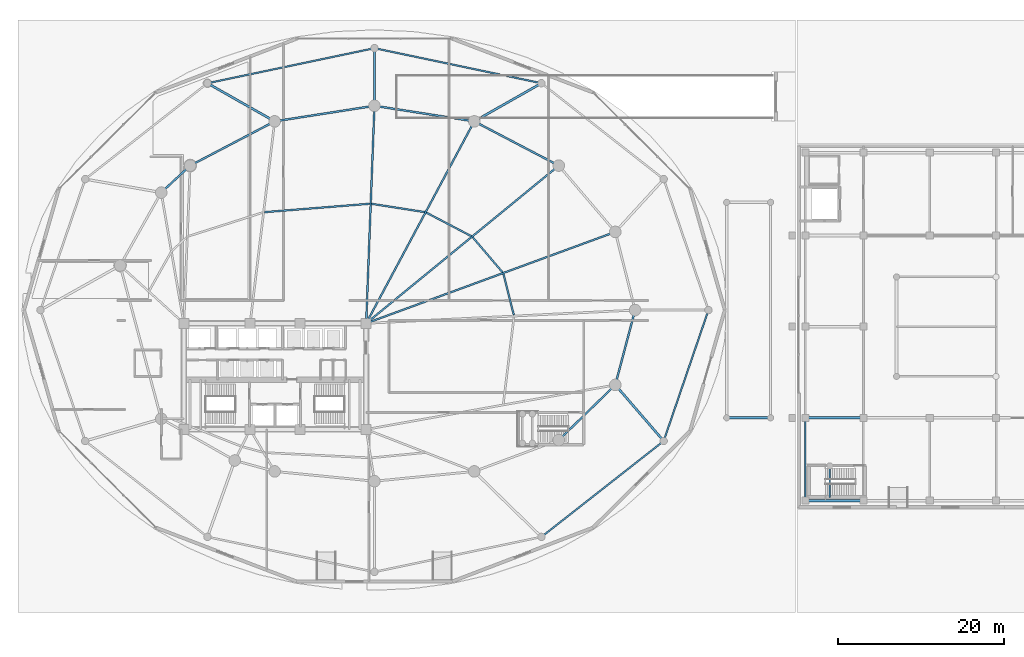
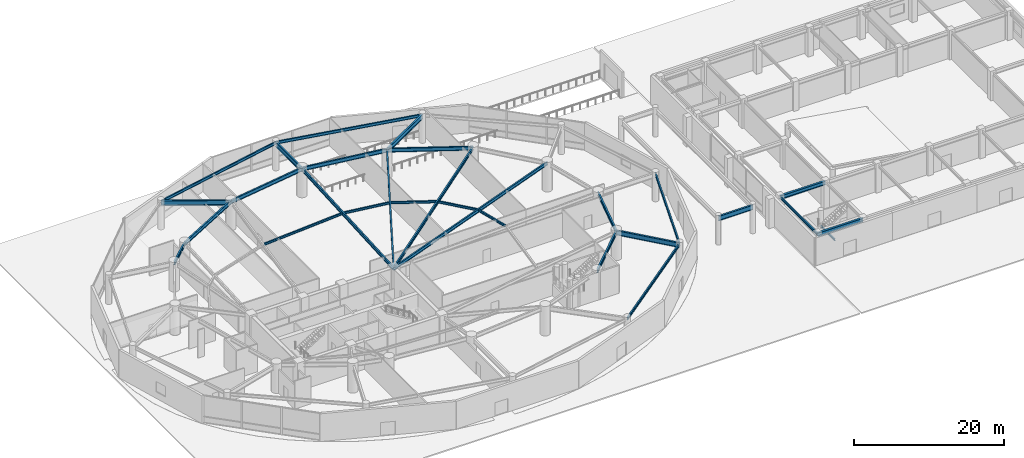
# One storey, part 9 of 35: 29 beams.
"""IFC4 building model written with IfcOpenShell, lengths in metres."""

from ifc_helpers import new_model, si_unit, direction, frame, origin, origin_2d, place, context, subcontext, project, spatial, i_section, extrude, material, material_profile, profile_set, type_object, element, save


model = new_model("IFC4")

# Units and contexts
model_context = context("Model", 3, precision=1e-05, world=origin(), true_north=direction((0.0, 1.0)))
body_context = subcontext(model_context, "Body", "Model", "MODEL_VIEW")
ifc_project = project(units=[si_unit("LENGTHUNIT", "METRE"), si_unit("AREAUNIT", "SQUARE_METRE"), si_unit("VOLUMEUNIT", "CUBIC_METRE"), si_unit("PLANEANGLEUNIT", "RADIAN"), si_unit("MASSUNIT", "GRAM", prefix="KILO")], contexts=[model_context])

# Site, building, storey
site_placement = place(None, origin())
site = spatial("IfcSite", under=ifc_project, at=site_placement, CompositionType="ELEMENT")
building_placement = place(site_placement, origin())
building = spatial("IfcBuilding", under=site, at=building_placement, Name="Kazevale Care Tower and Concert Hall", CompositionType="ELEMENT")
storey_placement = place(building_placement, origin())
storey = spatial("IfcBuildingStorey", under=building, at=storey_placement, Name="L00", CompositionType="ELEMENT", Elevation=0.0)

# Beams
ifc_material = material(Name="Steel ASTM A572 Gr 50", Category="steel")
ifc_material_profile_1 = material_profile(ifc_material, i_section(OverallWidth=0.323974609375, OverallDepth=0.611083984375, WebThickness=0.0126953125, FlangeThickness=0.01904296875, at=origin_2d()), Name="W610x155")
ifc_profile_set_1 = profile_set([ifc_material_profile_1], Name="Steel ASTM A572 Gr 50")
beam_type_1 = type_object("IfcBeamType", Name="Concert Hall Frame Girder W610x155", PredefinedType="BEAM", material=ifc_profile_set_1)
for number, where, z_axis, x_axis, name in (
    (1, (97.0, 15.0, 4.214599609375), (1.0, 0.0, 0.0), (0.0, 1.0, 0.0), "beam:L00:hx:97_15"),
    (2, (97.0, 25.0, 4.214599609375), (1.0, 0.0, 0.0), (0.0, 1.0, 0.0), "beam:L00:hx:97_25"),
):
    element("IfcBeam", number, at=place(storey_placement, frame(where, z_axis=z_axis, x_axis=x_axis)), inside=storey, type_object=beam_type_1, Name=name, PredefinedType="BEAM", context=body_context, shape_type="SweptSolid", body=[
        extrude(i_section(OverallWidth=0.323974609375, OverallDepth=0.611083984375, WebThickness=0.0126953125, FlangeThickness=0.01904296875, at=origin_2d()), origin(), (0.0, 0.0, 1.0), 7.0),
    ])
ifc_material_profile_2 = material_profile(ifc_material, i_section(OverallWidth=0.180908203125, OverallDepth=0.4169921875, WebThickness=0.010986328125, FlangeThickness=0.018310546875, at=origin_2d()), Name="W410x85")
ifc_profile_set_2 = profile_set([ifc_material_profile_2], Name="Steel ASTM A572 Gr 50")
beam_type_2 = type_object("IfcBeamType", Name="Concert Hall Secondary Beam W410x85", PredefinedType="BEAM", material=ifc_profile_set_2)
beam_1_placement = place(storey_placement, frame((97.0, 15.0, 4.3115234375), z_axis=(0.0, 1.0, 0.0), x_axis=(-1.0, 0.0, 0.0)))
element("IfcBeam", 3, at=beam_1_placement, inside=storey, type_object=beam_type_2, Name="beam:L00:hy:97_15", PredefinedType="BEAM", context=body_context, shape_type="SweptSolid", body=[
    extrude(i_section(OverallWidth=0.180908203125, OverallDepth=0.4169921875, WebThickness=0.010986328125, FlangeThickness=0.018310546875, at=origin_2d()), origin(), (0.0, 0.0, 1.0), 10.0),
])
ifc_material_profile_3 = material_profile(ifc_material, i_section(OverallWidth=0.194091796875, OverallDepth=0.468994140625, WebThickness=0.0126953125, FlangeThickness=0.0205078125, at=origin_2d()), Name="W460x106")
ifc_profile_set_3 = profile_set([ifc_material_profile_3], Name="Steel ASTM A572 Gr 50")
beam_type_3 = type_object("IfcBeamType", Name="Podium Floor Beam W460x106", PredefinedType="BEAM", material=ifc_profile_set_3)
for number, where, z_axis, x_axis, name in (
    (4, (65.14990234375, 65.3701171875, 4.285400390625), (-0.978668137727, 0.205447502293, 0.0), (-0.205447502293, -0.978668137727, 0.0), "beam:L00:podring:03"),
    (5, (45.0, 69.60009765625, 4.285400390625), (-0.978668137727, -0.205447502293, 0.0), (0.205447502293, -0.978668137727, 0.0), "beam:L00:podring:04"),
):
    element("IfcBeam", number, at=place(storey_placement, frame(where, z_axis=z_axis, x_axis=x_axis)), inside=storey, type_object=beam_type_3, Name=name, PredefinedType="BEAM", context=body_context, shape_type="SweptSolid", body=[
        extrude(i_section(OverallWidth=0.194091796875, OverallDepth=0.468994140625, WebThickness=0.0126953125, FlangeThickness=0.0205078125, at=origin_2d()), origin(), (0.0, 0.0, 1.0), 20.589111328125),
    ])
beam_2_placement = place(storey_placement, frame((65.14990234375, 10.6298828125, 4.285400390625), z_axis=(0.786816091325, 0.617187522907, 0.0), x_axis=(-0.617187522907, 0.786816091325, 0.0)))
element("IfcBeam", 6, at=beam_2_placement, inside=storey, type_object=beam_type_3, Name="beam:L00:podring:11", PredefinedType="BEAM", context=body_context, shape_type="SweptSolid", body=[
    extrude(i_section(OverallWidth=0.194091796875, OverallDepth=0.468994140625, WebThickness=0.0126953125, FlangeThickness=0.0205078125, at=origin_2d()), origin(), (0.0, 0.0, 1.0), 18.746337890625),
])
beam_3_placement = place(storey_placement, frame((79.89990234375, 22.199951171875, 4.285400390625), z_axis=(0.323412440773, 0.946258100707, 0.0), x_axis=(-0.946258100707, 0.323412440773, 0.0)))
element("IfcBeam", 7, at=beam_3_placement, inside=storey, type_object=beam_type_3, Name="beam:L00:podring:12", PredefinedType="BEAM", context=body_context, shape_type="SweptSolid", body=[
    extrude(i_section(OverallWidth=0.194091796875, OverallDepth=0.468994140625, WebThickness=0.0126953125, FlangeThickness=0.0205078125, at=origin_2d()), origin(), (0.0, 0.0, 1.0), 16.697509765625),
])
ifc_material_profile_4 = material_profile(ifc_material, i_section(OverallWidth=0.26806640625, OverallDepth=0.77001953125, WebThickness=0.015625, FlangeThickness=0.025390625, at=origin_2d()), Name="W760x196")
ifc_profile_set_4 = profile_set([ifc_material_profile_4], Name="Steel ASTM A572 Gr 50")
beam_type_4 = type_object("IfcBeamType", Name="Podium Primary Girder W760x196", PredefinedType="BEAM", material=ifc_profile_set_4)
beam_4_placement = place(storey_placement, frame((87.5, 25.0, 4.125), z_axis=(1.0, 0.0, 0.0), x_axis=(0.0, 1.0, 0.0)))
element("IfcBeam", 8, at=beam_4_placement, inside=storey, type_object=beam_type_4, Name="beam:L00:gbox:1", PredefinedType="BEAM", context=body_context, shape_type="SweptSolid", body=[
    extrude(i_section(OverallWidth=0.26806640625, OverallDepth=0.77001953125, WebThickness=0.015625, FlangeThickness=0.025390625, at=origin_2d()), origin(), (0.0, 0.0, 1.0), 5.300048828125),
])
beam_5_placement = place(storey_placement, frame((57.0400390625, 60.77001953125, 4.135009765625), z_axis=(0.869814698665, 0.493378546338, 0.0), x_axis=(-0.493378546338, 0.869814698665, 0.0)))
element("IfcBeam", 9, at=beam_5_placement, inside=storey, type_object=beam_type_4, Name="beam:L00:podrad:03", PredefinedType="BEAM", context=body_context, shape_type="SweptSolid", body=[
    extrude(i_section(OverallWidth=0.26806640625, OverallDepth=0.77001953125, WebThickness=0.015625, FlangeThickness=0.025390625, at=origin_2d()), origin(), (0.0, 0.0, 1.0), 9.32373046875),
])
beam_6_placement = place(storey_placement, frame((45.0, 62.64990234375, 4.135009765625), z_axis=(0.0, 1.0, 0.0), x_axis=(-1.0, 0.0, 0.0)))
element("IfcBeam", 10, at=beam_6_placement, inside=storey, type_object=beam_type_4, Name="beam:L00:podrad:04", PredefinedType="BEAM", context=body_context, shape_type="SweptSolid", body=[
    extrude(i_section(OverallWidth=0.26806640625, OverallDepth=0.77001953125, WebThickness=0.015625, FlangeThickness=0.025390625, at=origin_2d()), origin(), (0.0, 0.0, 1.0), 6.9501953125),
])
beam_7_placement = place(storey_placement, frame((32.9599609375, 60.77001953125, 4.135009765625), z_axis=(-0.869814698665, 0.493378546338, 0.0), x_axis=(-0.493378546338, -0.869814698665, 0.0)))
element("IfcBeam", 11, at=beam_7_placement, inside=storey, type_object=beam_type_4, Name="beam:L00:podrad:05", PredefinedType="BEAM", context=body_context, shape_type="SweptSolid", body=[
    extrude(i_section(OverallWidth=0.26806640625, OverallDepth=0.77001953125, WebThickness=0.015625, FlangeThickness=0.025390625, at=origin_2d()), origin(), (0.0, 0.0, 1.0), 9.32373046875),
])
beam_8_placement = place(storey_placement, frame((74.06005859375, 28.969970703125, 4.135009765625), z_axis=(0.653171864392, -0.757209690618, 0.0), x_axis=(0.757209690618, 0.653171864392, 0.0)))
element("IfcBeam", 12, at=beam_8_placement, inside=storey, type_object=beam_type_4, Name="beam:L00:podrad:12", PredefinedType="BEAM", context=body_context, shape_type="SweptSolid", body=[
    extrude(i_section(OverallWidth=0.26806640625, OverallDepth=0.77001953125, WebThickness=0.015625, FlangeThickness=0.025390625, at=origin_2d()), origin(), (0.0, 0.0, 1.0), 8.940673828125),
])
ifc_material_profile_5 = material_profile(ifc_material, i_section(OverallWidth=0.2119140625, OverallDepth=0.5439453125, WebThickness=0.01318359375, FlangeThickness=0.021240234375, at=origin_2d()), Name="W530x123")
ifc_profile_set_5 = profile_set([ifc_material_profile_5], Name="Steel ASTM A572 Gr 50")
beam_type_5 = type_object("IfcBeamType", Name="Radial Floor Girder W530x123", PredefinedType="BEAM", material=ifc_profile_set_5)
beam_9_placement = place(storey_placement, frame((44.0, 36.39990234375, 4.248046875), z_axis=(0.938795458019, 0.34447509054, 0.0), x_axis=(-0.34447509054, 0.938795458019, 0.0)))
element("IfcBeam", 13, at=beam_9_placement, inside=storey, type_object=beam_type_5, Name="beam:L00:rad:02", PredefinedType="BEAM", context=body_context, shape_type="SweptSolid", body=[
    extrude(i_section(OverallWidth=0.2119140625, OverallDepth=0.5439453125, WebThickness=0.01318359375, FlangeThickness=0.021240234375, at=origin_2d()), origin(), (0.0, 0.0, 1.0), 32.019775390625),
])
beam_10_placement = place(storey_placement, frame((44.0, 36.39990234375, 4.248046875), z_axis=(0.773704467398, 0.633546681097, 0.0), x_axis=(-0.633546681097, 0.773704467398, 0.0)))
element("IfcBeam", 14, at=beam_10_placement, inside=storey, type_object=beam_type_5, Name="beam:L00:rad:03", PredefinedType="BEAM", context=body_context, shape_type="SweptSolid", body=[
    extrude(i_section(OverallWidth=0.2119140625, OverallDepth=0.5439453125, WebThickness=0.01318359375, FlangeThickness=0.021240234375, at=origin_2d()), origin(), (0.0, 0.0, 1.0), 30.037353515625),
])
beam_11_placement = place(storey_placement, frame((44.0, 36.39990234375, 4.248046875), z_axis=(0.471788966953, 0.88171150081, 0.0), x_axis=(-0.88171150081, 0.471788966953, 0.0)))
element("IfcBeam", 15, at=beam_11_placement, inside=storey, type_object=beam_type_5, Name="beam:L00:rad:04", PredefinedType="BEAM", context=body_context, shape_type="SweptSolid", body=[
    extrude(i_section(OverallWidth=0.2119140625, OverallDepth=0.5439453125, WebThickness=0.01318359375, FlangeThickness=0.021240234375, at=origin_2d()), origin(), (0.0, 0.0, 1.0), 27.6396484375),
])
beam_12_placement = place(storey_placement, frame((44.0, 36.39990234375, 4.248046875), z_axis=(0.038067625343, 0.999275165258, 0.0), x_axis=(-0.999275165258, 0.038067625343, 0.0)))
element("IfcBeam", 16, at=beam_12_placement, inside=storey, type_object=beam_type_5, Name="beam:L00:rad:05", PredefinedType="BEAM", context=body_context, shape_type="SweptSolid", body=[
    extrude(i_section(OverallWidth=0.2119140625, OverallDepth=0.5439453125, WebThickness=0.01318359375, FlangeThickness=0.021240234375, at=origin_2d()), origin(), (0.0, 0.0, 1.0), 26.26904296875),
])
ifc_material_profile_6 = material_profile(ifc_material, i_section(OverallWidth=0.22900390625, OverallDepth=0.612060546875, WebThickness=0.011962890625, FlangeThickness=0.01953125, at=origin_2d()), Name="W610x125")
ifc_profile_set_6 = profile_set([ifc_material_profile_6], Name="Steel ASTM A572 Gr 50")
beam_type_6 = type_object("IfcBeamType", Name="Ring Spandrel Beam W610x125", PredefinedType="SPANDREL", material=ifc_profile_set_6)
beam_13_placement = place(storey_placement, frame((67.239990234375, 55.429931640625, 4.214111328125), z_axis=(-0.885929466679, 0.463819986708, 0.0), x_axis=(-0.463819986708, -0.885929466679, 0.0)))
element("IfcBeam", 17, at=beam_13_placement, inside=storey, type_object=beam_type_6, Name="beam:L00:ring:03", PredefinedType="SPANDREL", context=body_context, shape_type="SweptSolid", body=[
    extrude(i_section(OverallWidth=0.22900390625, OverallDepth=0.612060546875, WebThickness=0.011962890625, FlangeThickness=0.01953125, at=origin_2d()), origin(), (0.0, 0.0, 1.0), 11.51318359375),
])
for number, where, z_axis, x_axis, name in (
    (18, (57.0400390625, 60.77001953125, 4.214111328125), (-0.988029216561, 0.154266870134, 0.0), (-0.154266870134, -0.988029216561, 0.0), "beam:L00:ring:04"),
    (19, (45.0, 62.64990234375, 4.214111328125), (-0.988029216561, -0.154266870134, 0.0), (0.154266870134, -0.988029216561, 0.0), "beam:L00:ring:05"),
):
    element("IfcBeam", number, at=place(storey_placement, frame(where, z_axis=z_axis, x_axis=x_axis)), inside=storey, type_object=beam_type_6, Name=name, PredefinedType="SPANDREL", context=body_context, shape_type="SweptSolid", body=[
        extrude(i_section(OverallWidth=0.22900390625, OverallDepth=0.612060546875, WebThickness=0.011962890625, FlangeThickness=0.01953125, at=origin_2d()), origin(), (0.0, 0.0, 1.0), 12.18603515625),
    ])
beam_14_placement = place(storey_placement, frame((32.9599609375, 60.77001953125, 4.214111328125), z_axis=(-0.885929466679, -0.463819986708, 0.0), x_axis=(0.463819986708, -0.885929466679, 0.0)))
element("IfcBeam", 20, at=beam_14_placement, inside=storey, type_object=beam_type_6, Name="beam:L00:ring:06", PredefinedType="SPANDREL", context=body_context, shape_type="SweptSolid", body=[
    extrude(i_section(OverallWidth=0.22900390625, OverallDepth=0.612060546875, WebThickness=0.011962890625, FlangeThickness=0.01953125, at=origin_2d()), origin(), (0.0, 0.0, 1.0), 11.51318359375),
])
beam_15_placement = place(storey_placement, frame((22.760009765625, 55.429931640625, 4.214111328125), z_axis=(-0.731820896228, -0.681497010884, 0.0), x_axis=(0.681497010884, -0.731820896228, 0.0)))
element("IfcBeam", 21, at=beam_15_placement, inside=storey, type_object=beam_type_6, Name="beam:L00:ring:07", PredefinedType="SPANDREL", context=body_context, shape_type="SweptSolid", body=[
    extrude(i_section(OverallWidth=0.22900390625, OverallDepth=0.612060546875, WebThickness=0.011962890625, FlangeThickness=0.01953125, at=origin_2d()), origin(), (0.0, 0.0, 1.0), 4.768798828125),
])
beam_16_placement = place(storey_placement, frame((67.239990234375, 22.31005859375, 4.214111328125), z_axis=(0.715457453508, 0.698656304788, 0.0), x_axis=(-0.698656304788, 0.715457453508, 0.0)))
element("IfcBeam", 22, at=beam_16_placement, inside=storey, type_object=beam_type_6, Name="beam:L00:ring:15", PredefinedType="SPANDREL", context=body_context, shape_type="SweptSolid", body=[
    extrude(i_section(OverallWidth=0.22900390625, OverallDepth=0.612060546875, WebThickness=0.011962890625, FlangeThickness=0.01953125, at=origin_2d()), origin(), (0.0, 0.0, 1.0), 9.532470703125),
])
beam_17_placement = place(storey_placement, frame((74.06005859375, 28.969970703125, 4.214111328125), z_axis=(0.255851611973, 0.966716066201, 0.0), x_axis=(-0.966716066201, 0.255851611973, 0.0)))
element("IfcBeam", 23, at=beam_17_placement, inside=storey, type_object=beam_type_6, Name="beam:L00:ring:16", PredefinedType="SPANDREL", context=body_context, shape_type="SweptSolid", body=[
    extrude(i_section(OverallWidth=0.22900390625, OverallDepth=0.612060546875, WebThickness=0.011962890625, FlangeThickness=0.01953125, at=origin_2d()), origin(), (0.0, 0.0, 1.0), 9.3408203125),
])
ifc_material_profile_7 = material_profile(ifc_material, i_section(OverallWidth=0.205078125, OverallDepth=0.35400390625, WebThickness=0.009521484375, FlangeThickness=0.016845703125, at=origin_2d()), Name="W360x79")
ifc_profile_set_7 = profile_set([ifc_material_profile_7], Name="Steel ASTM A572 Gr 50")
beam_type_7 = type_object("IfcBeamType", Name="Secondary Floor Joist W360x79", PredefinedType="JOIST", material=ifc_profile_set_7)
beam_18_placement = place(storey_placement, frame((61.822021484375, 37.382080078125, 4.343017578125), z_axis=(-0.24568570229, 0.969349542575, 0.0), x_axis=(-0.969349542575, -0.24568570229, 0.0)))
element("IfcBeam", 24, at=beam_18_placement, inside=storey, type_object=beam_type_7, Name="beam:L00:joist:01", PredefinedType="JOIST", context=body_context, shape_type="SweptSolid", body=[
    extrude(i_section(OverallWidth=0.205078125, OverallDepth=0.35400390625, WebThickness=0.009521484375, FlangeThickness=0.016845703125, at=origin_2d()), origin(), (0.0, 0.0, 1.0), 5.140380859375),
])
beam_19_placement = place(storey_placement, frame((60.465087890625, 42.5458984375, 4.343017578125), z_axis=(-0.648685510477, 0.761056573783, 0.0), x_axis=(-0.761056573783, -0.648685510477, 0.0)))
element("IfcBeam", 25, at=beam_19_placement, inside=storey, type_object=beam_type_7, Name="beam:L00:joist:02", PredefinedType="JOIST", context=body_context, shape_type="SweptSolid", body=[
    extrude(i_section(OverallWidth=0.205078125, OverallDepth=0.35400390625, WebThickness=0.009521484375, FlangeThickness=0.016845703125, at=origin_2d()), origin(), (0.0, 0.0, 1.0), 5.57275390625),
])
beam_20_placement = place(storey_placement, frame((56.68896484375, 46.9150390625, 4.343017578125), z_axis=(-0.885921274797, 0.463835633454, 0.0), x_axis=(-0.463835633454, -0.885921274797, 0.0)))
element("IfcBeam", 26, at=beam_20_placement, inside=storey, type_object=beam_type_7, Name="beam:L00:joist:03", PredefinedType="JOIST", context=body_context, shape_type="SweptSolid", body=[
    extrude(i_section(OverallWidth=0.205078125, OverallDepth=0.35400390625, WebThickness=0.009521484375, FlangeThickness=0.016845703125, at=origin_2d()), origin(), (0.0, 0.0, 1.0), 6.12255859375),
])
beam_21_placement = place(storey_placement, frame((51.068115234375, 49.820068359375, 4.343017578125), z_axis=(-0.988040697826, 0.154193318403, 0.0), x_axis=(-0.154193318403, -0.988040697826, 0.0)))
element("IfcBeam", 27, at=beam_21_placement, inside=storey, type_object=beam_type_7, Name="beam:L00:joist:04", PredefinedType="JOIST", context=body_context, shape_type="SweptSolid", body=[
    extrude(i_section(OverallWidth=0.205078125, OverallDepth=0.35400390625, WebThickness=0.009521484375, FlangeThickness=0.016845703125, at=origin_2d()), origin(), (0.0, 0.0, 1.0), 6.49169921875),
])
beam_22_placement = place(storey_placement, frame((44.445068359375, 50.8291015625, 4.343017578125), z_axis=(-0.996814548036, -0.079754353015, 0.0), x_axis=(0.079754353015, -0.996814548036, 0.0)))
element("IfcBeam", 28, at=beam_22_placement, inside=storey, type_object=beam_type_7, Name="beam:L00:joist:05", PredefinedType="JOIST", context=body_context, shape_type="SweptSolid", body=[
    extrude(i_section(OverallWidth=0.205078125, OverallDepth=0.35400390625, WebThickness=0.009521484375, FlangeThickness=0.016845703125, at=origin_2d()), origin(), (0.0, 0.0, 1.0), 12.752685546875),
])
ifc_material_profile_8 = material_profile(ifc_material, i_section(OverallWidth=0.202880859375, OverallDepth=0.302978515625, WebThickness=0.007568359375, FlangeThickness=0.01318359375, at=origin_2d()), Name="W310x60")
ifc_profile_set_8 = profile_set([ifc_material_profile_8], Name="Steel ASTM A572 Gr 50")
beam_type_8 = type_object("IfcBeamType", Name="Stair & Balcony Trimmer W310x60", PredefinedType="BEAM", material=ifc_profile_set_8)
beam_23_placement = place(storey_placement, frame((99.949951171875, 15.39990234375, 2.048583984375), z_axis=(0.0, 1.0, 0.0), x_axis=(-1.0, 0.0, 0.0)))
element("IfcBeam", 29, at=beam_23_placement, inside=storey, type_object=beam_type_8, Name="beam:L00:ST4:trim:1", PredefinedType="BEAM", context=body_context, shape_type="SweptSolid", body=[
    extrude(i_section(OverallWidth=0.202880859375, OverallDepth=0.302978515625, WebThickness=0.007568359375, FlangeThickness=0.01318359375, at=origin_2d()), origin(), (0.0, 0.0, 1.0), 3.800048828125),
])

save(model, "model.ifc")
